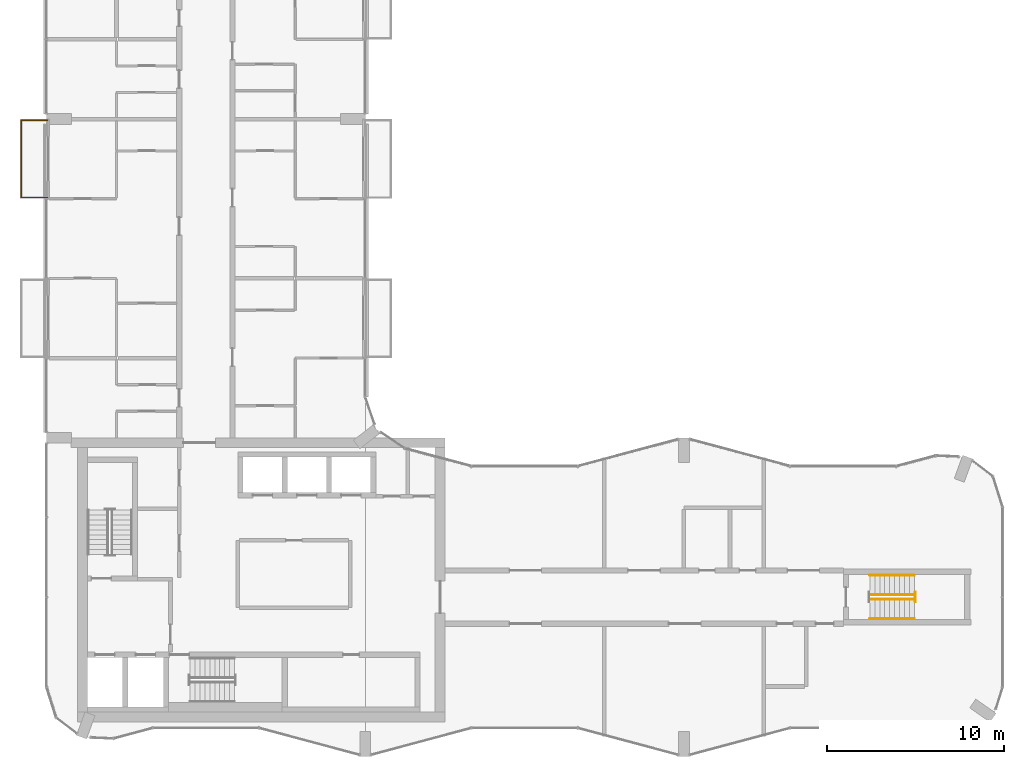
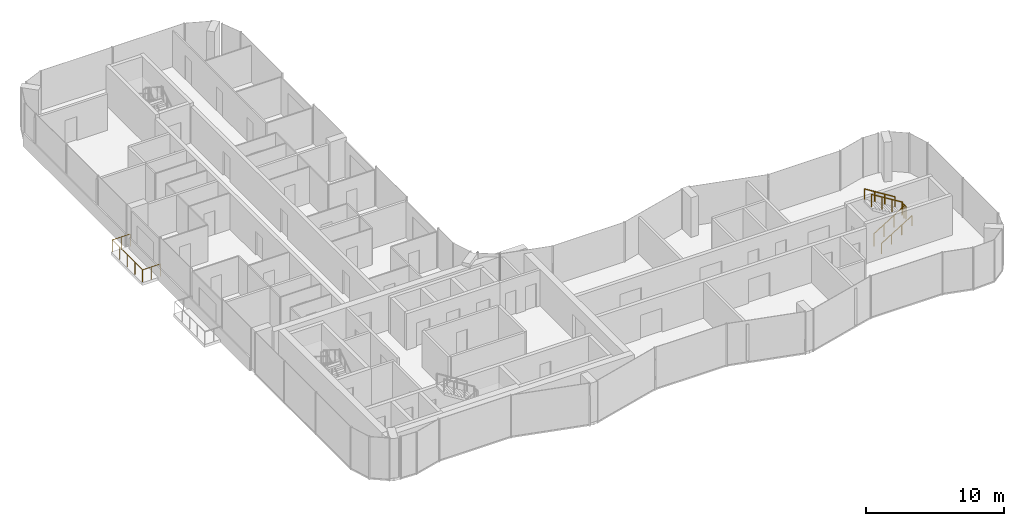
# One storey, part 15 of 16: 6 railings.
"""IFC4 building model written with IfcOpenShell, lengths in metres."""

from ifc_helpers import new_model, si_unit, direction, frame, origin, origin_2d, place, context, subcontext, project, spatial, circle, extrude, material, type_object, element, save


model = new_model("IFC4")

# Units and contexts
model_context = context("Model", 3, precision=1e-05, world=origin(), true_north=direction((0.0, 1.0)))
body_context = subcontext(model_context, "Body", "Model", "MODEL_VIEW")
ifc_project = project(units=[si_unit("LENGTHUNIT", "METRE"), si_unit("AREAUNIT", "SQUARE_METRE"), si_unit("VOLUMEUNIT", "CUBIC_METRE"), si_unit("PLANEANGLEUNIT", "RADIAN"), si_unit("MASSUNIT", "GRAM", prefix="KILO")], contexts=[model_context])

# Site, building, storey
site_placement = place(None, origin())
site = spatial("IfcSite", under=ifc_project, at=site_placement, CompositionType="ELEMENT")
building_placement = place(site_placement, origin())
building = spatial("IfcBuilding", under=site, at=building_placement, Name="Plateau Cross Towers", CompositionType="ELEMENT")
storey_placement = place(building_placement, frame((0.0, 0.0, 181.39990234375)))
storey = spatial("IfcBuildingStorey", under=building, at=storey_placement, Name="L47", CompositionType="ELEMENT", Elevation=181.39990234375)

# Railings
ifc_material_1 = material(Name="Stainless steel and toughened glass", Category="steel")
railing_type_1 = type_object("IfcRailingType", Name="Glass balustrade guard 1100", PredefinedType="GUARDRAIL", material=ifc_material_1)
railing_1_placement = place(storey_placement, frame((0.050048828125, 31.570068359375, 0.0)))
element("IfcRailing", 1, at=railing_1_placement, inside=storey, type_object=railing_type_1, Name="Guard guard1", PredefinedType="GUARDRAIL", context=body_context, shape_type="SweptSolid", body=[
    extrude(circle(Radius=0.02392578125, at=origin_2d()), frame((0.0, 0.0, 1.076171875), z_axis=(-1.0, 0.0, 0.0), x_axis=(0.0, -1.0, 0.0)), (0.0, 0.0, 1.0), 1.47998046875),
    extrude(circle(Radius=0.02392578125, at=origin_2d()), frame((-1.47998046875, 0.0, 1.076171875), z_axis=(0.0, 1.0, 0.0), x_axis=(-1.0, 0.0, 0.0)), (0.0, 0.0, 1.0), 4.35986328125),
    extrude(circle(Radius=0.02392578125, at=origin_2d()), frame((-1.47998046875, 4.35986328125, 1.076171875), z_axis=(1.0, 0.0, 0.0), x_axis=(0.0, 1.0, 0.0)), (0.0, 0.0, 1.0), 1.47998046875),
    extrude(circle(Radius=0.02099609375, at=origin_2d()), origin(), (0.0, 0.0, 1.0), 1.052001953125),
    extrude(circle(Radius=0.02099609375, at=origin_2d()), frame((-0.739990234375, 0.0, 0.0)), (0.0, 0.0, 1.0), 1.052001953125),
    extrude(circle(Radius=0.02099609375, at=origin_2d()), frame((-1.47998046875, 0.0, 0.0)), (0.0, 0.0, 1.0), 1.052001953125),
    extrude(circle(Radius=0.02099609375, at=origin_2d()), frame((-1.47998046875, 1.08984375, 0.0)), (0.0, 0.0, 1.0), 1.052001953125),
    extrude(circle(Radius=0.02099609375, at=origin_2d()), frame((-1.47998046875, 2.179931640625, 0.0)), (0.0, 0.0, 1.0), 1.052001953125),
    extrude(circle(Radius=0.02099609375, at=origin_2d()), frame((-1.47998046875, 3.27001953125, 0.0)), (0.0, 0.0, 1.0), 1.052001953125),
    extrude(circle(Radius=0.02099609375, at=origin_2d()), frame((-1.47998046875, 4.35986328125, 0.0)), (0.0, 0.0, 1.0), 1.052001953125),
    extrude(circle(Radius=0.02099609375, at=origin_2d()), frame((-0.739990234375, 4.35986328125, 0.0)), (0.0, 0.0, 1.0), 1.052001953125),
    extrude(circle(Radius=0.02099609375, at=origin_2d()), frame((0.0, 4.35986328125, 0.0)), (0.0, 0.0, 1.0), 1.052001953125),
])
railing_type_2 = type_object("IfcRailingType", Name="RL-GUARD-1100", PredefinedType="GUARDRAIL", material=ifc_material_1)
railing_2_placement = place(storey_placement, frame((46.5, 8.875, 0.175048828125)))
element("IfcRailing", 2, at=railing_2_placement, inside=storey, type_object=railing_type_2, Name="L47 ES-E stair guard 1", PredefinedType="GUARDRAIL", context=body_context, shape_type="SweptSolid", body=[
    extrude(circle(Radius=0.02392578125, at=origin_2d()), frame((0.0, 0.0, 1.076171875), z_axis=(0.848007534815, 0.0, 0.529984170421), x_axis=(0.0, 1.0, 0.0)), (0.0, 0.0, 1.0), 2.9716796875),
    extrude(circle(Radius=0.02099609375, at=origin_2d()), origin(), (0.0, 0.0, 1.0), 1.052001953125),
    extrude(circle(Radius=0.02099609375, at=origin_2d()), frame((0.840087890625, 0.0, 0.52490234375)), (0.0, 0.0, 1.0), 1.052001953125),
    extrude(circle(Radius=0.02099609375, at=origin_2d()), frame((1.679931640625, 0.0, 1.050048828125)), (0.0, 0.0, 1.0), 1.052001953125),
    extrude(circle(Radius=0.02099609375, at=origin_2d()), frame((2.52001953125, 0.0, 1.574951171875)), (0.0, 0.0, 1.0), 1.052001953125),
])
railing_3_placement = place(storey_placement, frame((49.070068359375, 8.72509765625, 1.75)))
element("IfcRailing", 3, at=railing_3_placement, inside=storey, type_object=railing_type_2, Name="L47 ES-E stair guard 2", PredefinedType="GUARDRAIL", context=body_context, shape_type="SweptSolid", body=[
    extrude(circle(Radius=0.02392578125, at=origin_2d()), frame((0.0, 0.0, 1.076171875), z_axis=(0.0, 1.0, 0.0), x_axis=(-1.0, 0.0, 0.0)), (0.0, 0.0, 1.0), 0.5498046875),
    extrude(circle(Radius=0.02099609375, at=origin_2d()), origin(), (0.0, 0.0, 1.0), 1.052001953125),
    extrude(circle(Radius=0.02099609375, at=origin_2d()), frame((0.0, 0.5498046875, 0.0)), (0.0, 0.0, 1.0), 1.052001953125),
])
railing_4_placement = place(storey_placement, frame((49.02001953125, 9.125, 1.925048828125)))
element("IfcRailing", 4, at=railing_4_placement, inside=storey, type_object=railing_type_2, Name="L47 ES-E stair guard 3", PredefinedType="GUARDRAIL", context=body_context, shape_type="SweptSolid", body=[
    extrude(circle(Radius=0.02392578125, at=origin_2d()), frame((0.0, 0.0, 1.076171875), z_axis=(-0.852638500773, 0.0, 0.522501279423), x_axis=(0.0, -1.0, 0.0)), (0.0, 0.0, 1.0), 3.01416015625),
    extrude(circle(Radius=0.02099609375, at=origin_2d()), origin(), (0.0, 0.0, 1.0), 1.052001953125),
    extrude(circle(Radius=0.02099609375, at=origin_2d()), frame((-0.856689453125, 0.0, 0.52490234375)), (0.0, 0.0, 1.0), 1.052001953125),
    extrude(circle(Radius=0.02099609375, at=origin_2d()), frame((-1.71337890625, 0.0, 1.050048828125)), (0.0, 0.0, 1.0), 1.052001953125),
    extrude(circle(Radius=0.02099609375, at=origin_2d()), frame((-2.570068359375, 0.0, 1.574951171875)), (0.0, 0.0, 1.0), 1.052001953125),
])
ifc_material_2 = material(Name="Black anodised aluminium", Category="aluminium")
railing_type_3 = type_object("IfcRailingType", Name="RL-HANDRAIL-900", PredefinedType="HANDRAIL", material=ifc_material_2)
railing_5_placement = place(storey_placement, frame((46.5, 7.77490234375, 0.175048828125)))
element("IfcRailing", 5, at=railing_5_placement, inside=storey, type_object=railing_type_3, Name="L47 ES-E stair handrail 1", PredefinedType="HANDRAIL", context=body_context, shape_type="SweptSolid", body=[
    extrude(circle(Radius=0.02392578125, at=origin_2d()), frame((0.0, 0.0, 0.8759765625), z_axis=(0.848007534815, 0.0, 0.529984170421), x_axis=(0.0, 1.0, 0.0)), (0.0, 0.0, 1.0), 2.9716796875),
    extrude(circle(Radius=0.02099609375, at=origin_2d()), origin(), (0.0, 0.0, 1.0), 0.851806640625),
    extrude(circle(Radius=0.02099609375, at=origin_2d()), frame((0.840087890625, 0.0, 0.52490234375)), (0.0, 0.0, 1.0), 0.851806640625),
    extrude(circle(Radius=0.02099609375, at=origin_2d()), frame((1.679931640625, 0.0, 1.050048828125)), (0.0, 0.0, 1.0), 0.851806640625),
    extrude(circle(Radius=0.02099609375, at=origin_2d()), frame((2.52001953125, 0.0, 1.574951171875)), (0.0, 0.0, 1.0), 0.851806640625),
])
railing_6_placement = place(storey_placement, frame((49.02001953125, 10.22509765625, 1.925048828125)))
element("IfcRailing", 6, at=railing_6_placement, inside=storey, type_object=railing_type_3, Name="L47 ES-E stair handrail 2", PredefinedType="HANDRAIL", context=body_context, shape_type="SweptSolid", body=[
    extrude(circle(Radius=0.02392578125, at=origin_2d()), frame((0.0, 0.0, 0.8759765625), z_axis=(-0.848007534815, 0.0, 0.529984170421), x_axis=(0.0, -1.0, 0.0)), (0.0, 0.0, 1.0), 2.9716796875),
    extrude(circle(Radius=0.02099609375, at=origin_2d()), origin(), (0.0, 0.0, 1.0), 0.851806640625),
    extrude(circle(Radius=0.02099609375, at=origin_2d()), frame((-0.840087890625, 0.0, 0.52490234375)), (0.0, 0.0, 1.0), 0.851806640625),
    extrude(circle(Radius=0.02099609375, at=origin_2d()), frame((-1.679931640625, 0.0, 1.050048828125)), (0.0, 0.0, 1.0), 0.851806640625),
    extrude(circle(Radius=0.02099609375, at=origin_2d()), frame((-2.52001953125, 0.0, 1.574951171875)), (0.0, 0.0, 1.0), 0.851806640625),
])

save(model, "model.ifc")
